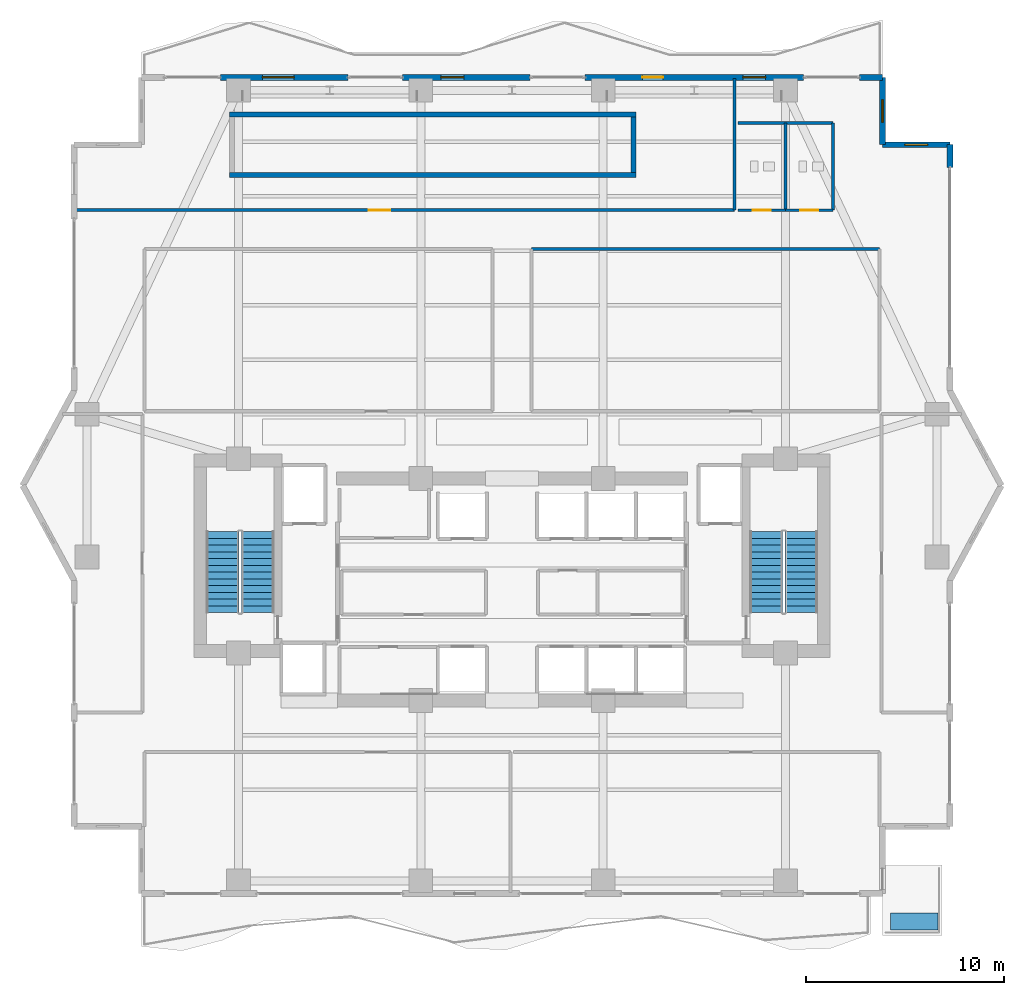
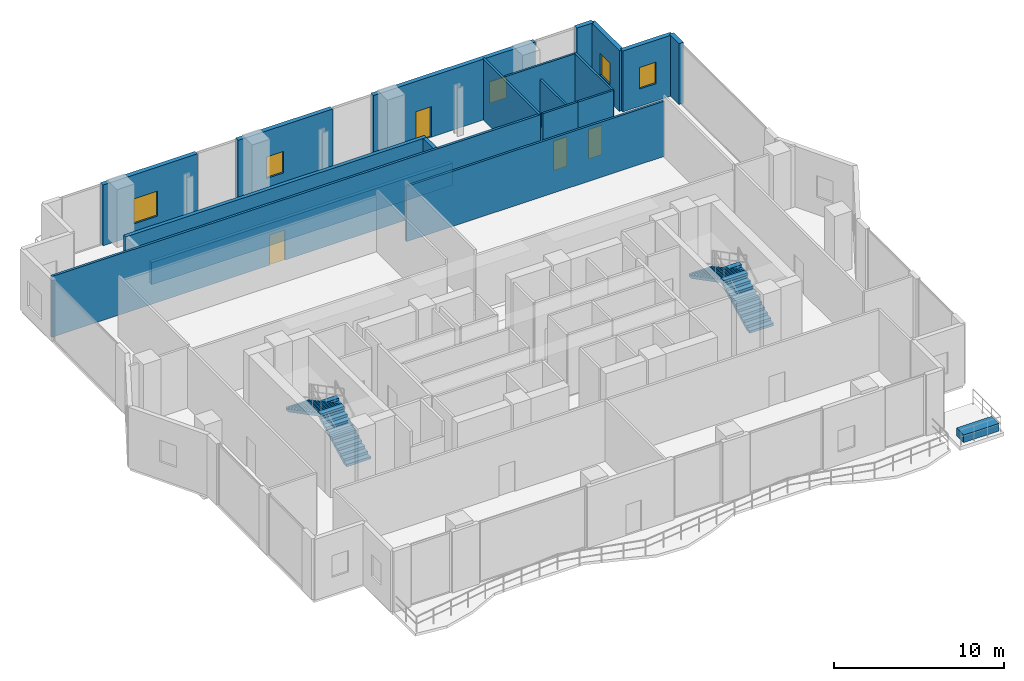
# One storey, part 29 of 33: 18 walls, 5 windows, 4 doors, 4 stair flights, 1 building element part, 9 openings, 2 elements without a shape of their own.
"""IFC4 building model written with IfcOpenShell, lengths in metres."""

from ifc_helpers import new_model, si_unit, direction, frame, frame_2d, origin, origin_2d, place, context, subcontext, project, spatial, polyline, rectangle, outline, extrude, material, layer, layer_set, type_object, element, fill, aggregate, save


model = new_model("IFC4")

# Units and contexts
model_context = context("Model", 3, precision=1e-05, world=origin(), true_north=direction((0.0, 1.0)))
body_context = subcontext(model_context, "Body", "Model", "MODEL_VIEW")
ifc_project = project(units=[si_unit("LENGTHUNIT", "METRE"), si_unit("AREAUNIT", "SQUARE_METRE"), si_unit("VOLUMEUNIT", "CUBIC_METRE"), si_unit("PLANEANGLEUNIT", "RADIAN"), si_unit("MASSUNIT", "GRAM", prefix="KILO")], contexts=[model_context])

# Site, building, storey
site_placement = place(None, origin())
site = spatial("IfcSite", under=ifc_project, at=site_placement, CompositionType="ELEMENT")
building_placement = place(site_placement, origin())
building = spatial("IfcBuilding", under=site, at=building_placement, Name="Zuhayl Quay Hotel", CompositionType="ELEMENT")
storey_placement = place(building_placement, frame((0.0, 0.0, 168.199951171875)))
storey = spatial("IfcBuildingStorey", under=building, at=storey_placement, Name="L42", CompositionType="ELEMENT", Elevation=168.199951171875)

# Wall, opening, window
ifc_material_1 = material(Name="Precast concrete C45/55", Category="concrete")
ifc_layer_1 = layer(ifc_material_1, 0.300048828125, Name="Precast concrete C45/55", Category="concrete")
ifc_layer_set_1 = layer_set([ifc_layer_1], Name="Precast concrete C45/55")
wall_type_1 = type_object("IfcWallType", Name="WL_EXT_300", PredefinedType="STANDARD", material=ifc_layer_set_1)
wall_1_placement = place(storey_placement, frame((-14.719970703125, 33.60009765625, 0.0), z_axis=(0.0, 0.0, 1.0), x_axis=(1.0, 0.0, 0.0)))
wall_1 = element("IfcWall", 1, at=wall_1_placement, inside=storey, type_object=wall_type_1, Name="L42 Exterior Precast Wall ENV_L42_N_EW2", PredefinedType="STANDARD", context=body_context, shape_type="SweptSolid", body=[
    extrude(rectangle(XDim=6.43994140625, YDim=0.300048828125, at=frame_2d((3.219970703125, 0.0))), origin(), (0.0, 0.0, 1.0), 4.380126953125),
])
opening_1_placement = place(wall_1_placement, frame((2.1201171875, 0.0, 0.85009765625)))
opening_1 = element("IfcOpeningElement", 2, at=opening_1_placement, cuts=wall_1, Name="Opening W01", PredefinedType="OPENING", context=body_context, shape_type="SweptSolid", body=[
    extrude(rectangle(XDim=1.60009765625, YDim=1.800048828125, at=frame_2d((0.800048828125, 0.89990234375))), frame((0.0, 0.159912109375, 0.0), z_axis=(0.0, -1.0, 0.0), x_axis=(1.0, 0.0, 0.0)), (0.0, 0.0, 1.0), 0.320068359375),
])
ifc_material_2 = material(Name="Dark Ceramic-Fritted Solar Glass", Category="glass")
window_type_1 = type_object("IfcWindowType", Name="WN_OPERABLE_1600", PartitioningType="DOUBLE_PANEL_VERTICAL", PredefinedType="WINDOW", material=ifc_material_2)
window_1_placement = place(opening_1_placement, origin())
window_1 = element("IfcWindow", 3, at=window_1_placement, inside=storey, type_object=window_type_1, Name="L42 North Operable Casement Window", OverallHeight=1.800048828125, OverallWidth=1.60009765625, PartitioningType="SINGLE_PANEL", PredefinedType="WINDOW", context=body_context, shape_type="SweptSolid", body=[
    extrude(rectangle(XDim=1.60009765625, YDim=1.800048828125, at=frame_2d((0.800048828125, 0.89990234375))), frame((0.0, 0.030029296875, 0.0), z_axis=(0.0, -1.0, 0.0), x_axis=(1.0, 0.0, 0.0)), (0.0, 0.0, 1.0), 0.06005859375),
])
fill(opening_1, window_1)

wall_2_placement = place(storey_placement, frame((-5.52001953125, 33.60009765625, 0.0), z_axis=(0.0, 0.0, 1.0), x_axis=(1.0, 0.0, 0.0)))
wall_2 = element("IfcWall", 4, at=wall_2_placement, inside=storey, type_object=wall_type_1, Name="L42 Exterior Precast Wall ENV_L42_N_EW3", PredefinedType="STANDARD", context=body_context, shape_type="SweptSolid", body=[
    extrude(rectangle(XDim=6.43994140625, YDim=0.300048828125, at=frame_2d((3.219970703125, 0.0))), origin(), (0.0, 0.0, 1.0), 4.380126953125),
])
opening_2_placement = place(wall_2_placement, frame((1.93505859375, 0.0, 0.949951171875)))
opening_2 = element("IfcOpeningElement", 5, at=opening_2_placement, cuts=wall_2, Name="Opening W01N", PredefinedType="OPENING", context=body_context, shape_type="SweptSolid", body=[
    extrude(rectangle(XDim=1.14990234375, YDim=1.550048828125, at=frame_2d((0.574951171875, 0.77490234375))), frame((0.0, 0.159912109375, 0.0), z_axis=(0.0, -1.0, 0.0), x_axis=(1.0, 0.0, 0.0)), (0.0, 0.0, 1.0), 0.320068359375),
])
window_type_2 = type_object("IfcWindowType", Name="WN_NOTCH_1350", PartitioningType="SINGLE_PANEL", PredefinedType="WINDOW", material=ifc_material_2)
window_2_placement = place(opening_2_placement, origin())
window_2 = element("IfcWindow", 6, at=window_2_placement, inside=storey, type_object=window_type_2, Name="L42 Operable Facade Window 3-1", OverallHeight=1.550048828125, OverallWidth=1.14990234375, PartitioningType="SINGLE_PANEL", PredefinedType="WINDOW", context=body_context, shape_type="SweptSolid", body=[
    extrude(rectangle(XDim=1.14990234375, YDim=1.550048828125, at=frame_2d((0.574951171875, 0.77490234375))), frame((0.0, 0.030029296875, 0.0), z_axis=(0.0, -1.0, 0.0), x_axis=(1.0, 0.0, 0.0)), (0.0, 0.0, 1.0), 0.06005859375),
])
fill(opening_2, window_2)

# Wall, openings, door, window
wall_3_placement = place(storey_placement, frame((3.679931640625, 33.60009765625, 0.0), z_axis=(0.0, 0.0, 1.0), x_axis=(1.0, 0.0, 0.0)))
wall_3 = element("IfcWall", 7, at=wall_3_placement, inside=storey, type_object=wall_type_1, Name="L42 Exterior Precast Wall ENV_L42_N_EW4", PredefinedType="STANDARD", context=body_context, shape_type="SweptSolid", body=[
    extrude(rectangle(XDim=11.0400390625, YDim=0.300048828125, at=frame_2d((5.52001953125, 0.0))), origin(), (0.0, 0.0, 1.0), 4.380126953125),
])
opening_3_placement = place(wall_3_placement, frame((2.89501953125, 0.0, 0.0)))
opening_3 = element("IfcOpeningElement", 8, at=opening_3_placement, cuts=wall_3, Name="Opening DG1", PredefinedType="OPENING", context=body_context, shape_type="SweptSolid", body=[
    extrude(rectangle(XDim=1.050048828125, YDim=2.199951171875, at=frame_2d((0.52490234375, 1.10009765625))), frame((0.0, 0.159912109375, 0.0), z_axis=(0.0, -1.0, 0.0), x_axis=(1.0, 0.0, 0.0)), (0.0, 0.0, 1.0), 0.320068359375),
])
opening_4_placement = place(wall_3_placement, frame((7.97509765625, 0.0, 0.949951171875)))
opening_4 = element("IfcOpeningElement", 9, at=opening_4_placement, cuts=wall_3, Name="Opening W01N", PredefinedType="OPENING", context=body_context, shape_type="SweptSolid", body=[
    extrude(rectangle(XDim=1.14990234375, YDim=1.550048828125, at=frame_2d((0.574951171875, 0.77490234375))), frame((0.0, 0.159912109375, 0.0), z_axis=(0.0, -1.0, 0.0), x_axis=(1.0, 0.0, 0.0)), (0.0, 0.0, 1.0), 0.320068359375),
])
ifc_material_3 = material(Name="Anodised Aluminium and Dark Solar Glass", Category="aluminium")
door_type_1 = type_object("IfcDoorType", Name="DR_EXT_TERR_1050", OperationType="NOTDEFINED", PredefinedType="DOOR", material=ifc_material_3)
door_1_placement = place(opening_3_placement, origin())
door_1 = element("IfcDoor", 10, at=door_1_placement, inside=storey, type_object=door_type_1, Name="L42 North Rippling Balcony Door", OperationType="SINGLE_SWING_LEFT", OverallHeight=2.199951171875, OverallWidth=1.050048828125, PredefinedType="DOOR", context=body_context, shape_type="SweptSolid", body=[
    extrude(rectangle(XDim=1.050048828125, YDim=2.199951171875, at=frame_2d((0.52490234375, 1.10009765625))), frame((0.0, 0.02490234375, 0.0), z_axis=(0.0, -1.0, 0.0), x_axis=(1.0, 0.0, 0.0)), (0.0, 0.0, 1.0), 0.050048828125),
])
fill(opening_3, door_1)
window_3_placement = place(opening_4_placement, origin())
window_3 = element("IfcWindow", 11, at=window_3_placement, inside=storey, type_object=window_type_2, Name="L42 Operable Facade Window 4-1", OverallHeight=1.550048828125, OverallWidth=1.14990234375, PartitioningType="SINGLE_PANEL", PredefinedType="WINDOW", context=body_context, shape_type="SweptSolid", body=[
    extrude(rectangle(XDim=1.14990234375, YDim=1.550048828125, at=frame_2d((0.574951171875, 0.77490234375))), frame((0.0, 0.030029296875, 0.0), z_axis=(0.0, -1.0, 0.0), x_axis=(1.0, 0.0, 0.0)), (0.0, 0.0, 1.0), 0.06005859375),
])
fill(opening_4, window_3)

# Wall
wall_4_placement = place(storey_placement, frame((17.550048828125, 33.60009765625, 0.0), z_axis=(0.0, 0.0, 1.0), x_axis=(1.0, 0.0, 0.0)))
element("IfcWall", 12, at=wall_4_placement, inside=storey, type_object=wall_type_1, Name="L42 Exterior Precast Wall ENV_L42_N_EW5", PredefinedType="STANDARD", context=body_context, shape_type="SweptSolid", body=[
    extrude(rectangle(XDim=1.14990234375, YDim=0.300048828125, at=frame_2d((0.574951171875, 0.0))), origin(), (0.0, 0.0, 1.0), 4.380126953125),
])

# Wall, opening, window
wall_5_placement = place(storey_placement, frame((18.699951171875, 33.60009765625, 0.0), z_axis=(0.0, 0.0, 1.0), x_axis=(0.0, -1.0, 0.0)))
wall_5 = element("IfcWall", 13, at=wall_5_placement, inside=storey, type_object=wall_type_1, Name="L42 Exterior Precast Wall ENV_L42_EW09", PredefinedType="STANDARD", context=body_context, shape_type="SweptSolid", body=[
    extrude(rectangle(XDim=3.400146484375, YDim=0.300048828125, at=frame_2d((1.7001953125, 0.0))), origin(), (0.0, 0.0, 1.0), 4.380126953125),
])
opening_5_placement = place(wall_5_placement, frame((1.125, 0.0, 1.25)))
opening_5 = element("IfcOpeningElement", 14, at=opening_5_placement, cuts=wall_5, Name="Opening W01N", PredefinedType="OPENING", context=body_context, shape_type="SweptSolid", body=[
    extrude(rectangle(XDim=1.14990234375, YDim=1.550048828125, at=frame_2d((0.574951171875, 0.77490234375))), frame((0.0, 0.159912109375, 0.0), z_axis=(0.0, -1.0, 0.0), x_axis=(1.0, 0.0, 0.0)), (0.0, 0.0, 1.0), 0.320068359375),
])
window_4_placement = place(opening_5_placement, origin())
window_4 = element("IfcWindow", 15, at=window_4_placement, inside=storey, type_object=window_type_2, Name="L42 Corner Notch Window 9", OverallHeight=1.550048828125, OverallWidth=1.14990234375, PartitioningType="SINGLE_PANEL", PredefinedType="WINDOW", context=body_context, shape_type="SweptSolid", body=[
    extrude(rectangle(XDim=1.14990234375, YDim=1.550048828125, at=frame_2d((0.574951171875, 0.77490234375))), frame((0.0, 0.030029296875, 0.0), z_axis=(0.0, -1.0, 0.0), x_axis=(1.0, 0.0, 0.0)), (0.0, 0.0, 1.0), 0.06005859375),
])
fill(opening_5, window_4)

wall_6_placement = place(storey_placement, frame((18.699951171875, 30.199951171875, 0.0), z_axis=(0.0, 0.0, 1.0), x_axis=(1.0, 0.0, 0.0)))
wall_6 = element("IfcWall", 16, at=wall_6_placement, inside=storey, type_object=wall_type_1, Name="L42 Exterior Precast Wall ENV_L42_EW10", PredefinedType="STANDARD", context=body_context, shape_type="SweptSolid", body=[
    extrude(rectangle(XDim=3.400146484375, YDim=0.300048828125, at=frame_2d((1.7001953125, 0.0))), origin(), (0.0, 0.0, 1.0), 4.380126953125),
])
opening_6_placement = place(wall_6_placement, frame((1.125, 0.0, 1.25)))
opening_6 = element("IfcOpeningElement", 17, at=opening_6_placement, cuts=wall_6, Name="Opening W01N", PredefinedType="OPENING", context=body_context, shape_type="SweptSolid", body=[
    extrude(rectangle(XDim=1.14990234375, YDim=1.550048828125, at=frame_2d((0.574951171875, 0.77490234375))), frame((0.0, 0.159912109375, 0.0), z_axis=(0.0, -1.0, 0.0), x_axis=(1.0, 0.0, 0.0)), (0.0, 0.0, 1.0), 0.320068359375),
])
window_5_placement = place(opening_6_placement, origin())
window_5 = element("IfcWindow", 18, at=window_5_placement, inside=storey, type_object=window_type_2, Name="L42 Corner Notch Window 10", OverallHeight=1.550048828125, OverallWidth=1.14990234375, PartitioningType="SINGLE_PANEL", PredefinedType="WINDOW", context=body_context, shape_type="SweptSolid", body=[
    extrude(rectangle(XDim=1.14990234375, YDim=1.550048828125, at=frame_2d((0.574951171875, 0.77490234375))), frame((0.0, 0.030029296875, 0.0), z_axis=(0.0, -1.0, 0.0), x_axis=(1.0, 0.0, 0.0)), (0.0, 0.0, 1.0), 0.06005859375),
])
fill(opening_6, window_5)

# Walls
wall_7_placement = place(storey_placement, frame((22.10009765625, 30.199951171875, 0.0), z_axis=(0.0, 0.0, 1.0), x_axis=(0.0, -1.0, 0.0)))
element("IfcWall", 19, at=wall_7_placement, inside=storey, type_object=wall_type_1, Name="L42 Exterior Precast Wall ENV_L42_E11_EW1", PredefinedType="STANDARD", context=body_context, shape_type="SweptSolid", body=[
    extrude(rectangle(XDim=1.14990234375, YDim=0.300048828125, at=frame_2d((0.574951171875, 0.0))), origin(), (0.0, 0.0, 1.0), 4.380126953125),
])
ifc_material_4 = material(Name="Acoustic Gypsum Partition STC-58")
ifc_layer_2 = layer(ifc_material_4, 0.14990234375, Name="Acoustic Gypsum Partition STC-58")
ifc_layer_set_2 = layer_set([ifc_layer_2], Name="Acoustic Gypsum Partition STC-58")
wall_type_2 = type_object("IfcWallType", Name="WL_PART_150", PredefinedType="PARTITIONING", material=ifc_layer_set_2)
wall_8_placement = place(storey_placement, frame((11.239990234375, 26.89990234375, 0.0), z_axis=(0.0, 0.0, 1.0), x_axis=(0.0, 1.0, 0.0)))
element("IfcWall", 20, at=wall_8_placement, inside=storey, type_object=wall_type_2, Name="L42 Partition IW_L42_LAP_POOL_E", PredefinedType="PARTITIONING", context=body_context, shape_type="SweptSolid", body=[
    extrude(rectangle(XDim=6.64013671875, YDim=0.14990234375, at=frame_2d((3.320068359375, 0.0))), origin(), (0.0, 0.0, 1.0), 4.380126953125),
])
wall_9_placement = place(storey_placement, frame((0.97998046875, 24.949951171875, 0.0), z_axis=(0.0, 0.0, 1.0), x_axis=(1.0, 0.0, 0.0)))
element("IfcWall", 21, at=wall_9_placement, inside=storey, type_object=wall_type_2, Name="L42 Partition IW_L42_HYDRO_SPA_N", PredefinedType="PARTITIONING", context=body_context, shape_type="SweptSolid", body=[
    extrude(rectangle(XDim=17.570068359375, YDim=0.14990234375, at=frame_2d((8.78515625, 0.0))), origin(), (0.0, 0.0, 1.0), 3.97412109375),
])

# Wall, opening, door
ifc_layer_3 = layer(ifc_material_4, 0.159912109375, Name="Acoustic Gypsum Partition STC-58")
ifc_layer_set_3 = layer_set([ifc_layer_3], Name="Acoustic Gypsum Partition STC-58")
wall_type_3 = type_object("IfcWallType", Name="WL_PART_CORR_160", PredefinedType="PARTITIONING", material=ifc_layer_set_3)
wall_10_placement = place(storey_placement, frame((-22.0400390625, 26.89990234375, 0.0), z_axis=(0.0, 0.0, 1.0), x_axis=(1.0, 0.0, 0.0)))
wall_10 = element("IfcWall", 22, at=wall_10_placement, inside=storey, type_object=wall_type_3, Name="L42 Partition IW_L42_LAP_POOL_S", PredefinedType="PARTITIONING", context=body_context, shape_type="SweptSolid", body=[
    extrude(rectangle(XDim=33.280029296875, YDim=0.159912109375, at=frame_2d((16.64013671875, 0.0))), origin(), (0.0, 0.0, 1.0), 4.380126953125),
])
opening_7_placement = place(wall_10_placement, frame((14.81005859375, 0.0, 0.0)))
opening_7 = element("IfcOpeningElement", 23, at=opening_7_placement, cuts=wall_10, Name="Opening D05A", PredefinedType="OPENING", context=body_context, shape_type="SweptSolid", body=[
    extrude(rectangle(XDim=1.080078125, YDim=2.179931640625, at=frame_2d((0.5400390625, 1.08984375))), frame((0.0, 0.08984375, 0.0), z_axis=(0.0, -1.0, 0.0), x_axis=(1.0, 0.0, 0.0)), (0.0, 0.0, 1.0), 0.179931640625),
])
ifc_material_5 = material(Name="Solid Walnut Acoustic Fire Door")
door_type_2 = type_object("IfcDoorType", Name="DR_INT_1100", OperationType="NOTDEFINED", PredefinedType="DOOR", material=ifc_material_5)
door_2_placement = place(opening_7_placement, origin())
door_2 = element("IfcDoor", 24, at=door_2_placement, inside=storey, type_object=door_type_2, Name="L42 Sky Indoor Lap Pool Hall Door", OperationType="SINGLE_SWING_LEFT", OverallHeight=2.179931640625, OverallWidth=1.080078125, PredefinedType="DOOR", context=body_context, shape_type="SweptSolid", body=[
    extrude(rectangle(XDim=1.080078125, YDim=2.179931640625, at=frame_2d((0.5400390625, 1.08984375))), frame((0.0, 0.02490234375, 0.0), z_axis=(0.0, -1.0, 0.0), x_axis=(1.0, 0.0, 0.0)), (0.0, 0.0, 1.0), 0.050048828125),
])
fill(opening_7, door_2)

ifc_material_6 = material(Name="Moisture-Resistant Sanitarychase Gypsum")
ifc_layer_4 = layer(ifc_material_6, 0.135009765625, Name="Moisture-Resistant Sanitarychase Gypsum")
ifc_layer_set_4 = layer_set([ifc_layer_4], Name="Moisture-Resistant Sanitarychase Gypsum")
wall_type_4 = type_object("IfcWallType", Name="WL_PART_PLUMB_150", PredefinedType="PLUMBINGWALL", material=ifc_layer_set_4)
wall_11_placement = place(storey_placement, frame((11.39990234375, 26.89990234375, 0.0), z_axis=(0.0, 0.0, 1.0), x_axis=(1.0, 0.0, 0.0)))
wall_11 = element("IfcWall", 25, at=wall_11_placement, inside=storey, type_object=wall_type_4, Name="L42 Partition IW_L42_SWC_PUB_F", PredefinedType="PLUMBINGWALL", context=body_context, shape_type="SweptSolid", body=[
    extrude(rectangle(XDim=2.400146484375, YDim=0.135009765625, at=frame_2d((1.2001953125, 0.0))), origin(), (0.0, 0.0, 1.0), 4.380126953125),
])
opening_8_placement = place(wall_11_placement, frame((0.739990234375, 0.0, 0.0)))
opening_8 = element("IfcOpeningElement", 26, at=opening_8_placement, cuts=wall_11, Name="Opening D05", PredefinedType="OPENING", context=body_context, shape_type="SweptSolid", body=[
    extrude(rectangle(XDim=0.919921875, YDim=2.1201171875, at=frame_2d((0.4599609375, 1.06005859375))), frame((0.0, 0.077392578125, 0.0), z_axis=(0.0, -1.0, 0.0), x_axis=(1.0, 0.0, 0.0)), (0.0, 0.0, 1.0), 0.155029296875),
])
door_type_3 = type_object("IfcDoorType", Name="DR_INT_950", OperationType="NOTDEFINED", PredefinedType="DOOR", material=ifc_material_5)
door_3_placement = place(opening_8_placement, origin())
door_3 = element("IfcDoor", 27, at=door_3_placement, inside=storey, type_object=door_type_3, Name="L42 Public Restroom Door", OperationType="SINGLE_SWING_LEFT", OverallHeight=2.1201171875, OverallWidth=0.919921875, PredefinedType="DOOR", context=body_context, shape_type="SweptSolid", body=[
    extrude(rectangle(XDim=0.919921875, YDim=2.1201171875, at=frame_2d((0.4599609375, 1.06005859375))), frame((0.0, 0.02490234375, 0.0), z_axis=(0.0, -1.0, 0.0), x_axis=(1.0, 0.0, 0.0)), (0.0, 0.0, 1.0), 0.050048828125),
])
fill(opening_8, door_3)

wall_12_placement = place(storey_placement, frame((13.800048828125, 26.89990234375, 0.0), z_axis=(0.0, 0.0, 1.0), x_axis=(1.0, 0.0, 0.0)))
wall_12 = element("IfcWall", 28, at=wall_12_placement, inside=storey, type_object=wall_type_4, Name="L42 Partition IW_L42_SWC_ACC_F", PredefinedType="PLUMBINGWALL", context=body_context, shape_type="SweptSolid", body=[
    extrude(rectangle(XDim=2.39990234375, YDim=0.135009765625, at=frame_2d((1.199951171875, 0.0))), origin(), (0.0, 0.0, 1.0), 4.380126953125),
])
opening_9_placement = place(wall_12_placement, frame((0.739990234375, 0.0, 0.0)))
opening_9 = element("IfcOpeningElement", 29, at=opening_9_placement, cuts=wall_12, Name="Opening D05", PredefinedType="OPENING", context=body_context, shape_type="SweptSolid", body=[
    extrude(rectangle(XDim=0.919921875, YDim=2.1201171875, at=frame_2d((0.4599609375, 1.06005859375))), frame((0.0, 0.077392578125, 0.0), z_axis=(0.0, -1.0, 0.0), x_axis=(1.0, 0.0, 0.0)), (0.0, 0.0, 1.0), 0.155029296875),
])
door_4_placement = place(opening_9_placement, origin())
door_4 = element("IfcDoor", 30, at=door_4_placement, inside=storey, type_object=door_type_3, Name="L42 Accessible Wheelchair WC Door", OperationType="SINGLE_SWING_RIGHT", OverallHeight=2.1201171875, OverallWidth=0.919921875, PredefinedType="DOOR", context=body_context, shape_type="SweptSolid", body=[
    extrude(rectangle(XDim=0.919921875, YDim=2.1201171875, at=frame_2d((0.4599609375, 1.06005859375))), frame((0.0, 0.02490234375, 0.0), z_axis=(0.0, -1.0, 0.0), x_axis=(1.0, 0.0, 0.0)), (0.0, 0.0, 1.0), 0.050048828125),
])
fill(opening_9, door_4)

# Walls
wall_13_placement = place(storey_placement, frame((11.39990234375, 31.300048828125, 0.0), z_axis=(0.0, 0.0, 1.0), x_axis=(1.0, 0.0, 0.0)))
element("IfcWall", 31, at=wall_13_placement, inside=storey, type_object=wall_type_4, Name="L42 Partition IW_L42_SWC_BK", PredefinedType="PLUMBINGWALL", context=body_context, shape_type="SweptSolid", body=[
    extrude(rectangle(XDim=4.800048828125, YDim=0.135009765625, at=frame_2d((2.39990234375, 0.0))), origin(), (0.0, 0.0, 1.0), 4.380126953125),
])
wall_14_placement = place(storey_placement, frame((16.199951171875, 26.89990234375, 0.0), z_axis=(0.0, 0.0, 1.0), x_axis=(0.0, 1.0, 0.0)))
element("IfcWall", 32, at=wall_14_placement, inside=storey, type_object=wall_type_4, Name="L42 Partition IW_L42_SWC_E", PredefinedType="PLUMBINGWALL", context=body_context, shape_type="SweptSolid", body=[
    extrude(rectangle(XDim=4.400146484375, YDim=0.135009765625, at=frame_2d((2.2001953125, 0.0))), origin(), (0.0, 0.0, 1.0), 4.380126953125),
])
wall_15_placement = place(storey_placement, frame((13.800048828125, 26.89990234375, 0.0), z_axis=(0.0, 0.0, 1.0), x_axis=(0.0, 1.0, 0.0)))
element("IfcWall", 33, at=wall_15_placement, inside=storey, type_object=wall_type_4, Name="L42 Partition IW_L42_SWC_DIV", PredefinedType="PLUMBINGWALL", context=body_context, shape_type="SweptSolid", body=[
    extrude(rectangle(XDim=4.400146484375, YDim=0.135009765625, at=frame_2d((2.2001953125, 0.0))), origin(), (0.0, 0.0, 1.0), 3.369140625),
])
ifc_material_7 = material(Name="Concrete C45/55", Category="concrete")
ifc_layer_5 = layer(ifc_material_7, 0.25, Name="Concrete C45/55", Category="concrete")
ifc_layer_set_5 = layer_set([ifc_layer_5], Name="Concrete C45/55")
wall_type_5 = type_object("IfcWallType", Name="WL_POOL_250", PredefinedType="STANDARD", material=ifc_layer_set_5)
wall_16_placement = place(storey_placement, frame((6.125, 28.800048828125, 0.0), z_axis=(0.0, 0.0, 1.0), x_axis=(0.0, 1.0, 0.0)))
element("IfcWall", 34, at=wall_16_placement, inside=storey, type_object=wall_type_5, Name="L42 Lap Pool Basin Wall East", PredefinedType="STANDARD", context=body_context, shape_type="SweptSolid", body=[
    extrude(rectangle(XDim=2.800048828125, YDim=0.25, at=frame_2d((1.39990234375, 0.0))), origin(), (0.0, 0.0, 1.0), 1.60009765625),
])
for number, where, z_axis, x_axis, name in (
    (35, (-14.25, 28.675048828125, 0.0), (0.0, 0.0, 1.0), (1.0, 0.0, 0.0), "L42 Lap Pool Basin Wall South"),
    (36, (-14.25, 31.72509765625, 0.0), (0.0, 0.0, 1.0), (1.0, 0.0, 0.0), "L42 Lap Pool Basin Wall North"),
):
    element("IfcWall", number, at=place(storey_placement, frame(where, z_axis=z_axis, x_axis=x_axis)), inside=storey, type_object=wall_type_5, Name=name, PredefinedType="STANDARD", context=body_context, shape_type="SweptSolid", body=[
        extrude(rectangle(XDim=20.5, YDim=0.25, at=frame_2d((10.25, 0.0))), origin(), (0.0, 0.0, 1.0), 1.60009765625),
    ])

# Stair, stair flights
stair_type = type_object("IfcStairType", Name="ST_DOGLEG_TOWER", PredefinedType="HALF_TURN_STAIR", material=ifc_material_7)
stair_1_placement = place(storey_placement, origin())
stair_1 = element("IfcStair", 37, at=stair_1_placement, inside=storey, type_object=stair_type, Name="L42 Smokeproof Exit Stair ST1", PredefinedType="HALF_TURN_STAIR")
ifc_layer_6 = layer(ifc_material_7, 0.159912109375, Name="Concrete C45/55", Category="concrete")
ifc_layer_set_6 = layer_set([ifc_layer_6], Name="Concrete C45/55")
stair_flight_type = type_object("IfcStairFlightType", Name="SF_CONC_164", PredefinedType="STRAIGHT", material=ifc_layer_set_6)
stair_flight_1_placement = place(storey_placement, frame((-12.820068359375, 6.590087890625, 0.0), z_axis=(0.0, 0.0, 1.0), x_axis=(0.0, 1.0, 0.0)))
stair_flight_1 = element("IfcStairFlight", 38, at=stair_flight_1_placement, type_object=stair_flight_type, Name="ST1 flight 1", NumberOfRisers=13, NumberOfTreads=12, PredefinedType="STRAIGHT", RiserHeight=0.176923077, TreadLength=0.34, context=body_context, shape_type="SweptSolid", body=[
    extrude(outline(polyline([(0.0, 0.0), (0.0, 0.177001953125), (0.340087890625, 0.177001953125), (0.340087890625, 0.353759765625), (0.679931640625, 0.353759765625), (0.679931640625, 0.53076171875), (1.02001953125, 0.53076171875), (1.02001953125, 0.707763671875), (1.360107421875, 0.707763671875), (1.360107421875, 0.884521484375), (1.699951171875, 0.884521484375), (1.699951171875, 1.0615234375), (2.0400390625, 1.0615234375), (2.0400390625, 1.238525390625), (2.3798828125, 1.238525390625), (2.3798828125, 1.415283203125), (2.719970703125, 1.415283203125), (2.719970703125, 1.59228515625), (3.06005859375, 1.59228515625), (3.06005859375, 1.769287109375), (3.39990234375, 1.769287109375), (3.39990234375, 1.946044921875), (3.739990234375, 1.946044921875), (3.739990234375, 2.123046875), (4.080078125, 2.123046875), (4.080078125, 2.300048828125), (4.080078125, 1.9541015625), (0.32470703125, 0.0), (0.0, 0.0)])), frame((0.0, 0.81982421875, 0.0), z_axis=(0.0, -1.0, 0.0), x_axis=(1.0, 0.0, 0.0)), (0.0, 0.0, 1.0), 1.639892578125),
])
stair_flight_2_placement = place(storey_placement, frame((-14.610107421875, 10.669921875, 2.300048828125), z_axis=(0.0, 0.0, 1.0), x_axis=(0.0, -1.0, 0.0)))
stair_flight_2 = element("IfcStairFlight", 39, at=stair_flight_2_placement, type_object=stair_flight_type, Name="ST1 flight 2", NumberOfRisers=13, NumberOfTreads=12, PredefinedType="STRAIGHT", RiserHeight=0.176923077, TreadLength=0.34, context=body_context, shape_type="SweptSolid", body=[
    extrude(outline(polyline([(0.0, 0.0), (0.0, 0.177001953125), (0.340087890625, 0.177001953125), (0.340087890625, 0.353759765625), (0.679931640625, 0.353759765625), (0.679931640625, 0.53076171875), (1.02001953125, 0.53076171875), (1.02001953125, 0.707763671875), (1.360107421875, 0.707763671875), (1.360107421875, 0.884521484375), (1.699951171875, 0.884521484375), (1.699951171875, 1.0615234375), (2.0400390625, 1.0615234375), (2.0400390625, 1.238525390625), (2.3798828125, 1.238525390625), (2.3798828125, 1.415283203125), (2.719970703125, 1.415283203125), (2.719970703125, 1.59228515625), (3.06005859375, 1.59228515625), (3.06005859375, 1.769287109375), (3.39990234375, 1.769287109375), (3.39990234375, 1.946044921875), (3.739990234375, 1.946044921875), (3.739990234375, 2.123046875), (4.080078125, 2.123046875), (4.080078125, 2.300048828125), (4.080078125, 1.9541015625), (0.32470703125, 0.0), (0.0, 0.0)])), frame((0.0, 0.81982421875, 0.0), z_axis=(0.0, -1.0, 0.0), x_axis=(1.0, 0.0, 0.0)), (0.0, 0.0, 1.0), 1.639892578125),
])
aggregate(stair_1, [stair_flight_1, stair_flight_2])

stair_2_placement = place(storey_placement, origin())
stair_2 = element("IfcStair", 40, at=stair_2_placement, inside=storey, type_object=stair_type, Name="L42 Smokeproof Exit Stair ST2", PredefinedType="HALF_TURN_STAIR")
stair_flight_3_placement = place(storey_placement, frame((14.610107421875, 6.590087890625, 0.0), z_axis=(0.0, 0.0, 1.0), x_axis=(0.0, 1.0, 0.0)))
stair_flight_3 = element("IfcStairFlight", 41, at=stair_flight_3_placement, type_object=stair_flight_type, Name="ST2 flight 1", NumberOfRisers=13, NumberOfTreads=12, PredefinedType="STRAIGHT", RiserHeight=0.176923077, TreadLength=0.34, context=body_context, shape_type="SweptSolid", body=[
    extrude(outline(polyline([(0.0, 0.0), (0.0, 0.177001953125), (0.340087890625, 0.177001953125), (0.340087890625, 0.353759765625), (0.679931640625, 0.353759765625), (0.679931640625, 0.53076171875), (1.02001953125, 0.53076171875), (1.02001953125, 0.707763671875), (1.360107421875, 0.707763671875), (1.360107421875, 0.884521484375), (1.699951171875, 0.884521484375), (1.699951171875, 1.0615234375), (2.0400390625, 1.0615234375), (2.0400390625, 1.238525390625), (2.3798828125, 1.238525390625), (2.3798828125, 1.415283203125), (2.719970703125, 1.415283203125), (2.719970703125, 1.59228515625), (3.06005859375, 1.59228515625), (3.06005859375, 1.769287109375), (3.39990234375, 1.769287109375), (3.39990234375, 1.946044921875), (3.739990234375, 1.946044921875), (3.739990234375, 2.123046875), (4.080078125, 2.123046875), (4.080078125, 2.300048828125), (4.080078125, 1.9541015625), (0.32470703125, 0.0), (0.0, 0.0)])), frame((0.0, 0.81982421875, 0.0), z_axis=(0.0, -1.0, 0.0), x_axis=(1.0, 0.0, 0.0)), (0.0, 0.0, 1.0), 1.639892578125),
])
stair_flight_4_placement = place(storey_placement, frame((12.820068359375, 10.669921875, 2.300048828125), z_axis=(0.0, 0.0, 1.0), x_axis=(0.0, -1.0, 0.0)))
stair_flight_4 = element("IfcStairFlight", 42, at=stair_flight_4_placement, type_object=stair_flight_type, Name="ST2 flight 2", NumberOfRisers=13, NumberOfTreads=12, PredefinedType="STRAIGHT", RiserHeight=0.176923077, TreadLength=0.34, context=body_context, shape_type="SweptSolid", body=[
    extrude(outline(polyline([(0.0, 0.0), (0.0, 0.177001953125), (0.340087890625, 0.177001953125), (0.340087890625, 0.353759765625), (0.679931640625, 0.353759765625), (0.679931640625, 0.53076171875), (1.02001953125, 0.53076171875), (1.02001953125, 0.707763671875), (1.360107421875, 0.707763671875), (1.360107421875, 0.884521484375), (1.699951171875, 0.884521484375), (1.699951171875, 1.0615234375), (2.0400390625, 1.0615234375), (2.0400390625, 1.238525390625), (2.3798828125, 1.238525390625), (2.3798828125, 1.415283203125), (2.719970703125, 1.415283203125), (2.719970703125, 1.59228515625), (3.06005859375, 1.59228515625), (3.06005859375, 1.769287109375), (3.39990234375, 1.769287109375), (3.39990234375, 1.946044921875), (3.739990234375, 1.946044921875), (3.739990234375, 2.123046875), (4.080078125, 2.123046875), (4.080078125, 2.300048828125), (4.080078125, 1.9541015625), (0.32470703125, 0.0), (0.0, 0.0)])), frame((0.0, 0.81982421875, 0.0), z_axis=(0.0, -1.0, 0.0), x_axis=(1.0, 0.0, 0.0)), (0.0, 0.0, 1.0), 1.639892578125),
])
aggregate(stair_2, [stair_flight_3, stair_flight_4])

# Building element part
ifc_layer_7 = layer(ifc_material_1, 0.550048828125, Name="Precast concrete C45/55", Category="concrete")
ifc_layer_set_7 = layer_set([ifc_layer_7], Name="Precast concrete C45/55")
building_element_part_type = type_object("IfcBuildingElementPartType", Name="PT_PLANTER_KERB", PredefinedType="PRECASTPANEL", material=ifc_layer_set_7)
building_element_part_placement = place(storey_placement, frame((20.31005859375, -9.010009765625, 0.0), z_axis=(0.0, 0.0, 1.0), x_axis=(1.0, 0.0, 0.0)))
element("IfcBuildingElementPart", 43, at=building_element_part_placement, inside=storey, type_object=building_element_part_type, Name="L42 Spiral Sky-Terrace Planter Box SE", PredefinedType="PRECASTPANEL", context=body_context, shape_type="SweptSolid", body=[
    extrude(rectangle(XDim=2.39990234375, YDim=0.85009765625, at=origin_2d()), origin(), (0.0, 0.0, 1.0), 0.550048828125),
])

save(model, "model.ifc")
